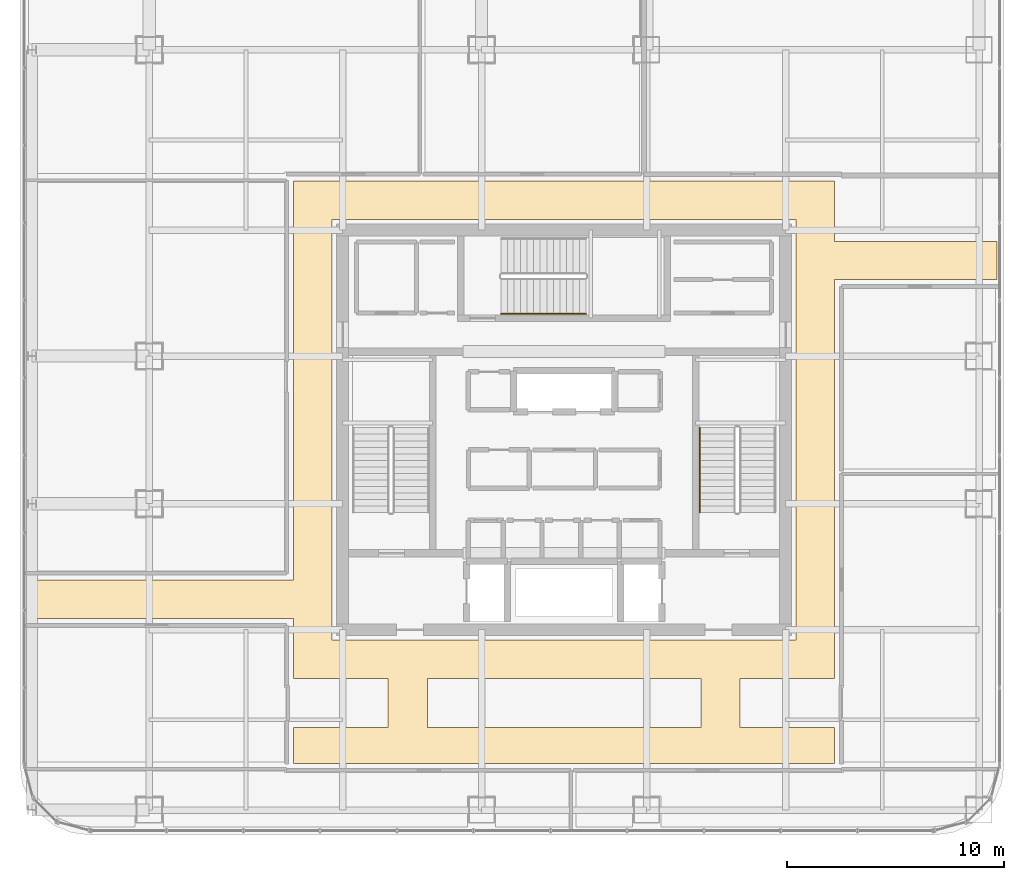
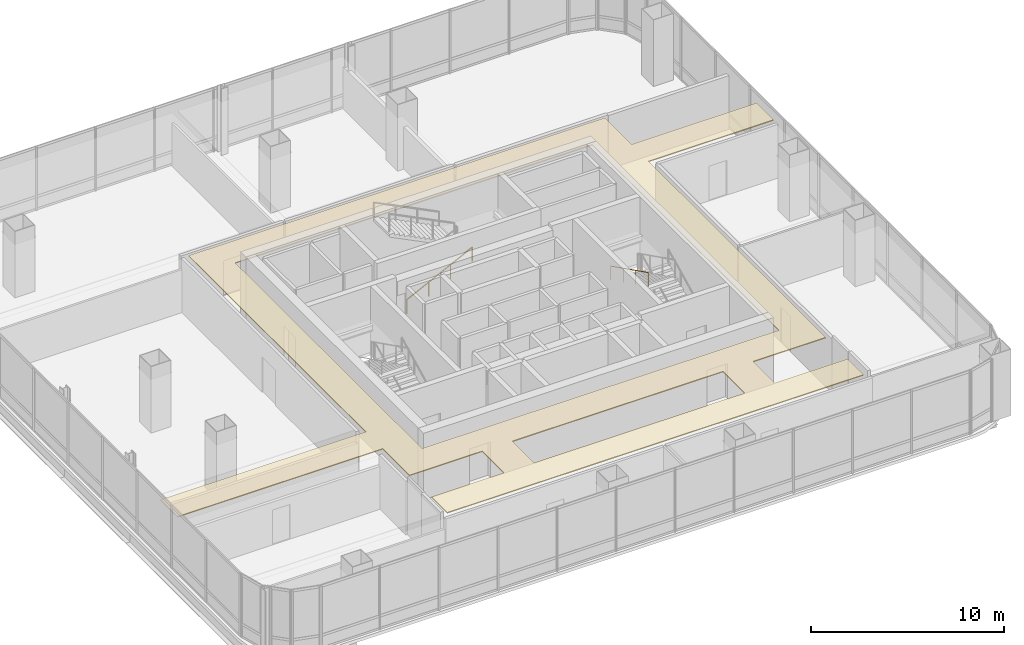
# One storey, part 39 of 41: 2 railings, 1 covering.
"""IFC4 building model written with IfcOpenShell, lengths in metres."""

from ifc_helpers import new_model, si_unit, direction, frame, origin, origin_2d, place, context, subcontext, project, spatial, polyline, circle, outline, extrude, material, layer, layer_set, type_object, element, save


model = new_model("IFC4")

# Units and contexts
model_context = context("Model", 3, precision=1e-05, world=origin(), true_north=direction((0.0, 1.0)))
body_context = subcontext(model_context, "Body", "Model", "MODEL_VIEW")
ifc_project = project(units=[si_unit("LENGTHUNIT", "METRE"), si_unit("AREAUNIT", "SQUARE_METRE"), si_unit("VOLUMEUNIT", "CUBIC_METRE"), si_unit("PLANEANGLEUNIT", "RADIAN"), si_unit("MASSUNIT", "GRAM", prefix="KILO")], contexts=[model_context])

# Site, building, storey
site_placement = place(None, origin())
site = spatial("IfcSite", under=ifc_project, at=site_placement, CompositionType="ELEMENT")
building_placement = place(site_placement, origin())
building = spatial("IfcBuilding", under=site, at=building_placement, Name="Punatoya Terracotta Tower", CompositionType="ELEMENT")
storey_placement = place(building_placement, frame((0.0, 0.0, 288.0)))
storey = spatial("IfcBuildingStorey", under=building, at=storey_placement, Name="L68", CompositionType="ELEMENT", Elevation=288.0)

# Covering
ifc_material_1 = material(Name="Acoustic Mineral Fibre Ceiling")
ifc_layer = layer(ifc_material_1, 0.06005859375)
ifc_layer_set = layer_set([ifc_layer], Name="Acoustic Mineral Fibre Ceiling")
covering_type = type_object("IfcCoveringType", Name="COV-CEIL-60", PredefinedType="CEILING", material=ifc_layer_set)
covering_placement = place(storey_placement, frame((0.0, 0.0, 3.389892578125)))
element("IfcCovering", 1, at=covering_placement, inside=storey, type_object=covering_type, Name="L68 Executive Circulation Corridor Acoustic Ceiling", PredefinedType="CEILING", context=body_context, shape_type="SweptSolid", body=[
    extrude(outline(polyline([(-12.449951171875, -15.35009765625), (12.449951171875, -15.35009765625), (12.449951171875, -13.699951171875), (8.10009765625, -13.699951171875), (8.10009765625, -11.449951171875), (12.449951171875, -11.449951171875), (12.449951171875, 6.919921875), (19.929931640625, 6.919921875), (19.929931640625, 8.679931640625), (12.449951171875, 8.679931640625), (12.449951171875, 11.449951171875), (-12.449951171875, 11.449951171875), (-12.449951171875, -6.919921875), (-24.72998046875, -6.919921875), (-24.72998046875, -8.679931640625), (-12.449951171875, -8.679931640625), (-12.449951171875, -11.449951171875), (-8.10009765625, -11.449951171875), (-8.10009765625, -13.699951171875), (-12.449951171875, -13.699951171875), (-12.449951171875, -15.35009765625)]), holes=[polyline([(10.679931640625, 9.679931640625), (10.679931640625, -9.679931640625), (-10.679931640625, -9.679931640625), (-10.679931640625, 9.679931640625), (10.679931640625, 9.679931640625)]), polyline([(6.300048828125, -13.699951171875), (-6.300048828125, -13.699951171875), (-6.300048828125, -11.449951171875), (6.300048828125, -11.449951171875), (6.300048828125, -13.699951171875)])]), origin(), (0.0, 0.0, 1.0), 0.06005859375),
])

# Railings
ifc_material_2 = material(Name="Steel S355", Category="steel")
railing_type = type_object("IfcRailingType", Name="RLG-HND-900", PredefinedType="HANDRAIL", material=ifc_material_2)
railing_1_placement = place(storey_placement, frame((6.25, 0.10009765625, 2.25)))
element("IfcRailing", 2, at=railing_1_placement, inside=storey, type_object=railing_type, Name="L68 ST-2 stair handrail 2", PredefinedType="HANDRAIL", context=body_context, shape_type="SweptSolid", body=[
    extrude(circle(Radius=0.02392578125, at=origin_2d()), frame((0.0, 0.0, 0.8759765625), z_axis=(0.0, -0.894438388696, 0.447191199406), x_axis=(1.0, 0.0, 0.0)), (0.0, 0.0, 1.0), 4.3603515625),
    extrude(circle(Radius=0.02099609375, at=origin_2d()), origin(), (0.0, 0.0, 1.0), 0.851806640625),
    extrude(circle(Radius=0.02099609375, at=origin_2d()), frame((0.0, -1.300048828125, 0.64990234375)), (0.0, 0.0, 1.0), 0.851806640625),
    extrude(circle(Radius=0.02099609375, at=origin_2d()), frame((0.0, -2.60009765625, 1.300048828125)), (0.0, 0.0, 1.0), 0.851806640625),
    extrude(circle(Radius=0.02099609375, at=origin_2d()), frame((0.0, -3.900146484375, 1.949951171875)), (0.0, 0.0, 1.0), 0.851806640625),
])
railing_2_placement = place(storey_placement, frame((-2.89990234375, 5.35009765625, 0.14990234375)))
element("IfcRailing", 3, at=railing_2_placement, inside=storey, type_object=railing_type, Name="L68 ST-3 stair handrail 1", PredefinedType="HANDRAIL", context=body_context, shape_type="SweptSolid", body=[
    extrude(circle(Radius=0.02392578125, at=origin_2d()), frame((0.0, 0.0, 0.8759765625), z_axis=(0.894404793364, 0.0, 0.447258387967), x_axis=(0.0, 1.0, 0.0)), (0.0, 0.0, 1.0), 4.3603515625),
    extrude(circle(Radius=0.02099609375, at=origin_2d()), origin(), (0.0, 0.0, 1.0), 0.851806640625),
    extrude(circle(Radius=0.02099609375, at=origin_2d()), frame((1.300048828125, 0.0, 0.650146484375)), (0.0, 0.0, 1.0), 0.851806640625),
    extrude(circle(Radius=0.02099609375, at=origin_2d()), frame((2.599853515625, 0.0, 1.300048828125)), (0.0, 0.0, 1.0), 0.851806640625),
    extrude(circle(Radius=0.02099609375, at=origin_2d()), frame((3.89990234375, 0.0, 1.9501953125)), (0.0, 0.0, 1.0), 0.851806640625),
])

save(model, "model.ifc")
